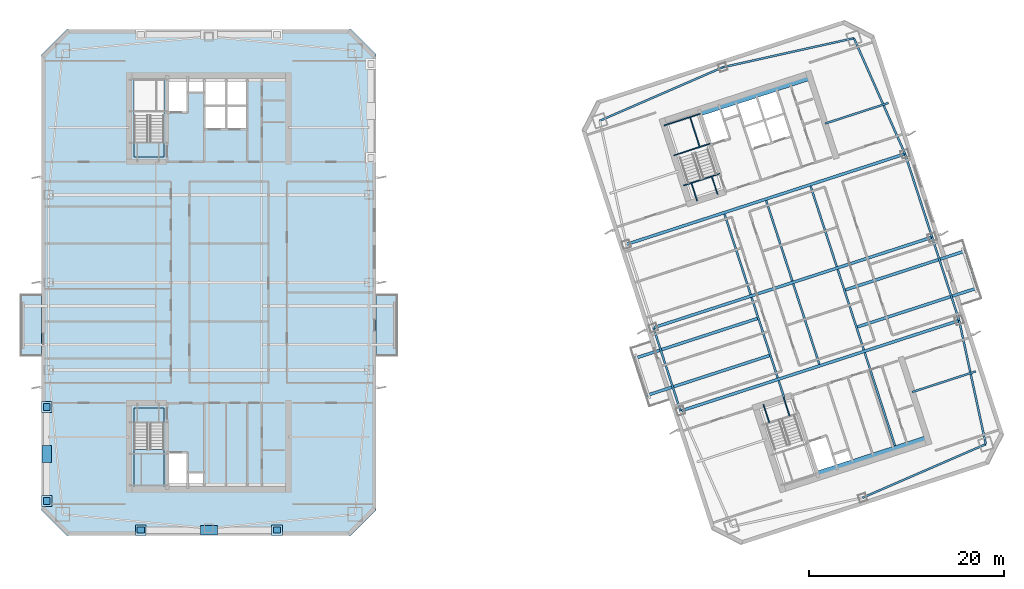
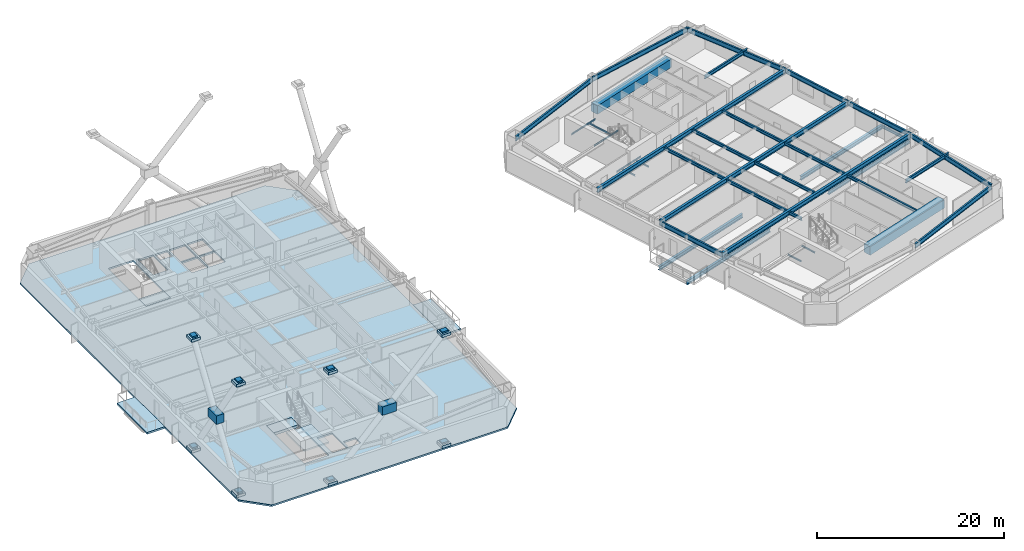
# One storey, part 4 of 18: 36 beams, 18 plates, 6 slabs, 1 element without a shape of its own.
"""IFC4 building model written with IfcOpenShell, lengths in metres."""

from ifc_helpers import new_model, si_unit, direction, frame, origin, origin_2d, place, context, subcontext, project, spatial, polyline, rectangle, i_section, outline, extrude, material, layer, layer_set, material_profile, profile_set, type_object, element, aggregate, save


model = new_model("IFC4")

# Units and contexts
model_context = context("Model", 3, precision=1e-05, world=origin(), true_north=direction((0.0, 1.0)))
body_context = subcontext(model_context, "Body", "Model", "MODEL_VIEW")
ifc_project = project(units=[si_unit("LENGTHUNIT", "METRE"), si_unit("AREAUNIT", "SQUARE_METRE"), si_unit("VOLUMEUNIT", "CUBIC_METRE"), si_unit("PLANEANGLEUNIT", "RADIAN"), si_unit("MASSUNIT", "GRAM", prefix="KILO")], contexts=[model_context])

# Site, building, storey
site_placement = place(None, origin())
site = spatial("IfcSite", under=ifc_project, at=site_placement, CompositionType="ELEMENT")
building_placement = place(site_placement, origin())
building = spatial("IfcBuilding", under=site, at=building_placement, Name="Qiaolan Cultural Towers", CompositionType="ELEMENT")
storey_placement = place(building_placement, frame((0.0, 0.0, 173.64990234375)))
storey = spatial("IfcBuildingStorey", under=building, at=storey_placement, Name="L46", CompositionType="ELEMENT", Elevation=173.64990234375)

# Beams
ifc_material_1 = material(Name="Steel Q355B", Category="steel")
ifc_material_profile_1 = material_profile(ifc_material_1, i_section(OverallWidth=0.300048828125, OverallDepth=0.488037109375, WebThickness=0.010986328125, FlangeThickness=0.01806640625, at=origin_2d()), Name="HM488x300x11x18")
ifc_profile_set_1 = profile_set([ifc_material_profile_1], Name="Steel Q355B")
beam_type_1 = type_object("IfcBeamType", Name="BM-HM488x300x11x18", PredefinedType="BEAM", material=ifc_profile_set_1)
for number, where, z_axis, x_axis, name in (
    (1, (87.697998046875, 26.522705078125, -0.52392578125), (-0.951053553769, -0.309026111943, 0.0), (0.309026111943, -0.951053553769, 0.0), "L46 T2 Tree Balcony Back-Spanned Bracket Beam"),
    (2, (86.4619140625, 30.326904296875, -0.52392578125), (-0.951053553769, -0.309026111943, 0.0), (0.309026111943, -0.951053553769, 0.0), "L46 T2 Tree Balcony Back-Spanned Bracket Beam"),
):
    element("IfcBeam", number, at=place(storey_placement, frame(where, z_axis=z_axis, x_axis=x_axis)), inside=storey, type_object=beam_type_1, Name=name, PredefinedType="BEAM", context=body_context, shape_type="SweptSolid", body=[
        extrude(i_section(OverallWidth=0.300048828125, OverallDepth=0.488037109375, WebThickness=0.010986328125, FlangeThickness=0.01806640625, at=origin_2d()), origin(), (0.0, 0.0, 1.0), 13.349853515625),
    ])
for number, where, z_axis, x_axis, name in (
    (3, (96.542724609375, 29.396484375, -0.52392578125), (0.951056200688, 0.309017965713, 0.0), (-0.309017965713, 0.951056200688, 0.0), "L46 T2 Tree Balcony Back-Spanned Bracket Beam"),
    (4, (95.306640625, 33.20068359375, -0.52392578125), (0.951056200688, 0.309017965713, 0.0), (-0.309017965713, 0.951056200688, 0.0), "L46 T2 Tree Balcony Back-Spanned Bracket Beam"),
):
    element("IfcBeam", number, at=place(storey_placement, frame(where, z_axis=z_axis, x_axis=x_axis)), inside=storey, type_object=beam_type_1, Name=name, PredefinedType="BEAM", context=body_context, shape_type="SweptSolid", body=[
        extrude(i_section(OverallWidth=0.300048828125, OverallDepth=0.488037109375, WebThickness=0.010986328125, FlangeThickness=0.01806640625, at=origin_2d()), origin(), (0.0, 0.0, 1.0), 13.050048828125),
    ])
ifc_material_2 = material(Name="Steel Q355B", Category="steel")
ifc_material_profile_2 = material_profile(ifc_material_2, i_section(OverallWidth=0.300048828125, OverallDepth=0.587890625, WebThickness=0.011962890625, FlangeThickness=0.02001953125, at=origin_2d()), Name="HM588x300x12x20")
ifc_profile_set_2 = profile_set([ifc_material_profile_2], Name="Steel Q355B")
beam_type_2 = type_object("IfcBeamType", Name="BM-HM588x300x12x20", PredefinedType="BEAM", material=ifc_profile_set_2)
beam_1_placement = place(storey_placement, frame((78.4677734375, 20.789794921875, 2.89599609375), z_axis=(0.951055226628, 0.309020963535, 0.0), x_axis=(-0.309020963535, 0.951055226628, 0.0)))
element("IfcBeam", 5, at=beam_1_placement, inside=storey, type_object=beam_type_2, Name="L46 T2 Primary Transverse Girder V1", PredefinedType="BEAM", context=body_context, shape_type="SweptSolid", body=[
    extrude(i_section(OverallWidth=0.300048828125, OverallDepth=0.587890625, WebThickness=0.011962890625, FlangeThickness=0.02001953125, at=origin_2d()), origin(), (0.0, 0.0, 1.0), 30.099853515625),
])
beam_2_placement = place(storey_placement, frame((75.6865234375, 29.349365234375, 2.89599609375), z_axis=(0.951058384903, 0.309011243331, 0.0), x_axis=(-0.309011243331, 0.951058384903, 0.0)))
element("IfcBeam", 6, at=beam_2_placement, inside=storey, type_object=beam_type_2, Name="L46 T2 Primary Transverse Girder V2", PredefinedType="BEAM", context=body_context, shape_type="SweptSolid", body=[
    extrude(i_section(OverallWidth=0.300048828125, OverallDepth=0.587890625, WebThickness=0.011962890625, FlangeThickness=0.02001953125, at=origin_2d()), origin(), (0.0, 0.0, 1.0), 30.10009765625),
])
beam_3_placement = place(storey_placement, frame((72.905517578125, 37.90869140625, 2.89599609375), z_axis=(0.951055226628, 0.309020963535, 0.0), x_axis=(-0.309020963535, 0.951055226628, 0.0)))
element("IfcBeam", 7, at=beam_3_placement, inside=storey, type_object=beam_type_2, Name="L46 T2 Primary Transverse Girder V3", PredefinedType="BEAM", context=body_context, shape_type="SweptSolid", body=[
    extrude(i_section(OverallWidth=0.300048828125, OverallDepth=0.587890625, WebThickness=0.011962890625, FlangeThickness=0.02001953125, at=origin_2d()), origin(), (0.0, 0.0, 1.0), 30.099853515625),
])
ifc_material_3 = material(Name="Steel Q355B", Category="steel")
ifc_material_profile_3 = material_profile(ifc_material_3, i_section(OverallWidth=0.175048828125, OverallDepth=0.35009765625, WebThickness=0.007080078125, FlangeThickness=0.010986328125, at=origin_2d()), Name="HN350x175x7x11")
ifc_profile_set_3 = profile_set([ifc_material_profile_3], Name="Steel Q355B")
beam_type_3 = type_object("IfcBeamType", Name="BM-JST-HN350x175x7x11", PredefinedType="JOIST", material=ifc_profile_set_3)
beam_4_placement = place(storey_placement, frame((108.9541015625, 33.42919921875, -0.52392578125), z_axis=(-0.309022586479, 0.951054699292, 0.0), x_axis=(-0.951054699292, -0.309022586479, 0.0)))
element("IfcBeam", 8, at=beam_4_placement, inside=storey, type_object=beam_type_3, Name="L46 T2 Tree Balcony Outer Edge Beam", PredefinedType="JOIST", context=body_context, shape_type="SweptSolid", body=[
    extrude(i_section(OverallWidth=0.175048828125, OverallDepth=0.35009765625, WebThickness=0.007080078125, FlangeThickness=0.010986328125, at=origin_2d()), origin(), (0.0, 0.0, 1.0), 4.0),
])
ifc_material_4 = material(Name="Steel Q355B", Category="steel")
ifc_material_profile_4 = material_profile(ifc_material_4, i_section(OverallWidth=0.199951171875, OverallDepth=0.39990234375, WebThickness=0.008056640625, FlangeThickness=0.012939453125, at=origin_2d()), Name="HN400x200x8x13")
ifc_profile_set_4 = profile_set([ifc_material_profile_4], Name="Steel Q355B")
beam_type_4 = type_object("IfcBeamType", Name="BM-JST-HN400x200x8x13", PredefinedType="JOIST", material=ifc_profile_set_4)
beam_5_placement = place(storey_placement, frame((89.119384765625, 22.147705078125, 2.989990234375), z_axis=(-0.308933885266, 0.951083516067, 0.0), x_axis=(-0.951083516067, -0.308933885266, 0.0)))
element("IfcBeam", 9, at=beam_5_placement, inside=storey, type_object=beam_type_4, Name="L46 T2 Secondary Floor Joist U1-1", PredefinedType="JOIST", context=body_context, shape_type="SweptSolid", body=[
    extrude(i_section(OverallWidth=0.199951171875, OverallDepth=0.39990234375, WebThickness=0.008056640625, FlangeThickness=0.012939453125, at=origin_2d()), origin(), (0.0, 0.0, 1.0), 1.85009765625),
])
for number, where, z_axis, x_axis, name in (
    (10, (88.455078125, 24.192626953125, 2.989990234375), (-0.309020714809, 0.951055307445, 0.0), (-0.951055307445, -0.309020714809, 0.0), "L46 T2 Secondary Floor Joist U1-2"),
    (11, (85.673828125, 32.752197265625, 2.989990234375), (-0.309020714809, 0.951055307445, 0.0), (-0.951055307445, -0.309020714809, 0.0), "L46 T2 Secondary Floor Joist U1-3"),
    (12, (92.73486328125, 25.583251953125, 2.989990234375), (-0.309020714809, 0.951055307445, 0.0), (-0.951055307445, -0.309020714809, 0.0), "L46 T2 Secondary Floor Joist U2-2"),
    (13, (89.95361328125, 34.142578125, 2.989990234375), (-0.309020714809, 0.951055307445, 0.0), (-0.951055307445, -0.309020714809, 0.0), "L46 T2 Secondary Floor Joist U2-3"),
):
    element("IfcBeam", number, at=place(storey_placement, frame(where, z_axis=z_axis, x_axis=x_axis)), inside=storey, type_object=beam_type_4, Name=name, PredefinedType="JOIST", context=body_context, shape_type="SweptSolid", body=[
        extrude(i_section(OverallWidth=0.199951171875, OverallDepth=0.39990234375, WebThickness=0.008056640625, FlangeThickness=0.012939453125, at=origin_2d()), origin(), (0.0, 0.0, 1.0), 8.699951171875),
    ])
beam_6_placement = place(storey_placement, frame((100.498291015625, 17.222900390625, 2.989990234375), z_axis=(-0.309025649293, 0.951053704098, 0.0), x_axis=(-0.951053704098, -0.309025649293, 0.0)))
element("IfcBeam", 14, at=beam_6_placement, inside=storey, type_object=beam_type_4, Name="L46 T2 Secondary Floor Joist U3-1", PredefinedType="JOIST", context=body_context, shape_type="SweptSolid", body=[
    extrude(i_section(OverallWidth=0.199951171875, OverallDepth=0.39990234375, WebThickness=0.008056640625, FlangeThickness=0.012939453125, at=origin_2d()), origin(), (0.0, 0.0, 1.0), 10.050048828125),
])
for number, where, z_axis, x_axis, name in (
    (15, (97.2998046875, 27.06640625, 2.989990234375), (-0.309020714809, 0.951055307445, 0.0), (-0.951055307445, -0.309020714809, 0.0), "L46 T2 Secondary Floor Joist U3-2"),
    (16, (94.518798828125, 35.6259765625, 2.989990234375), (-0.309020714809, 0.951055307445, 0.0), (-0.951055307445, -0.309020714809, 0.0), "L46 T2 Secondary Floor Joist U3-3"),
):
    element("IfcBeam", number, at=place(storey_placement, frame(where, z_axis=z_axis, x_axis=x_axis)), inside=storey, type_object=beam_type_4, Name=name, PredefinedType="JOIST", context=body_context, shape_type="SweptSolid", body=[
        extrude(i_section(OverallWidth=0.199951171875, OverallDepth=0.39990234375, WebThickness=0.008056640625, FlangeThickness=0.012939453125, at=origin_2d()), origin(), (0.0, 0.0, 1.0), 8.699951171875),
    ])
ifc_material_5 = material(Name="Steel Q355B", Category="steel")
ifc_material_profile_5 = material_profile(ifc_material_5, i_section(OverallWidth=0.199951171875, OverallDepth=0.449951171875, WebThickness=0.009033203125, FlangeThickness=0.013916015625, at=origin_2d()), Name="HN450x200x9x14")
ifc_profile_set_5 = profile_set([ifc_material_profile_5], Name="Steel Q355B")
beam_type_5 = type_object("IfcBeamType", Name="BM-LNT-HN450x200x9x14", PredefinedType="LINTEL", material=ifc_profile_set_5)
for number, where, z_axis, x_axis, name in (
    (17, (102.279296875, 22.74365234375, 2.965087890625), (0.951061565824, 0.30900145309, 0.0), (-0.30900145309, 0.951061565824, 0.0), "L46 T2 Core Flank Tie Lintel ES"),
    (18, (93.31787109375, 50.32421875, 2.965087890625), (0.951061565824, 0.30900145309, 0.0), (-0.30900145309, 0.951061565824, 0.0), "L46 T2 Core Flank Tie Lintel EN"),
):
    element("IfcBeam", number, at=place(storey_placement, frame(where, z_axis=z_axis, x_axis=x_axis)), inside=storey, type_object=beam_type_5, Name=name, PredefinedType="LINTEL", context=body_context, shape_type="SweptSolid", body=[
        extrude(i_section(OverallWidth=0.199951171875, OverallDepth=0.449951171875, WebThickness=0.009033203125, FlangeThickness=0.013916015625, at=origin_2d()), origin(), (0.0, 0.0, 1.0), 6.85009765625),
    ])
ifc_material_6 = material(Name="Concrete C50", Category="concrete")
ifc_material_profile_6 = material_profile(ifc_material_6, rectangle(XDim=0.89990234375, YDim=1.10009765625, at=origin_2d()), Name="RC900x1100")
ifc_profile_set_6 = profile_set([ifc_material_profile_6], Name="Concrete C50")
beam_type_6 = type_object("IfcBeamType", Name="BM-RC900x1100", PredefinedType="BEAM", material=ifc_profile_set_6)
for number, where, z_axis, x_axis, name in (
    (19, (92.572265625, 14.174560546875, 2.64013671875), (0.951056266386, 0.309017763514, 0.0), (-0.309017763514, 0.951056266386, 0.0), "L46 T2 Core Header Girder S"),
    (20, (80.427978515625, 51.551025390625, 2.64013671875), (0.951056266386, 0.309017763514, 0.0), (-0.309017763514, 0.951056266386, 0.0), "L46 T2 Core Header Girder N"),
):
    element("IfcBeam", number, at=place(storey_placement, frame(where, z_axis=z_axis, x_axis=x_axis)), inside=storey, type_object=beam_type_6, Name=name, PredefinedType="BEAM", context=body_context, shape_type="SweptSolid", body=[
        extrude(rectangle(XDim=0.89990234375, YDim=1.10009765625, at=origin_2d()), origin(), (0.0, 0.0, 1.0), 11.880126953125),
    ])
ifc_material_7 = material(Name="Steel Q355B", Category="steel")
ifc_material_profile_7 = material_profile(ifc_material_7, i_section(OverallWidth=0.199951171875, OverallDepth=0.60009765625, WebThickness=0.010986328125, FlangeThickness=0.01708984375, at=origin_2d()), Name="HN600x200x11x17")
ifc_profile_set_7 = profile_set([ifc_material_profile_7], Name="Steel Q355B")
beam_type_7 = type_object("IfcBeamType", Name="BM-SPD-HN600x200x11x17", PredefinedType="SPANDREL", material=ifc_profile_set_7)
beam_7_placement = place(storey_placement, frame((97.1845703125, 11.887939453125, 2.89013671875), z_axis=(0.917117043091, 0.398618024268, 0.0), x_axis=(-0.398618024268, 0.917117043091, 0.0)))
element("IfcBeam", 21, at=beam_7_placement, inside=storey, type_object=beam_type_7, Name="L46 T2 Perimeter Spandrel Beam 2", PredefinedType="SPANDREL", context=body_context, shape_type="SweptSolid", body=[
    extrude(i_section(OverallWidth=0.199951171875, OverallDepth=0.60009765625, WebThickness=0.010986328125, FlangeThickness=0.01708984375, at=origin_2d()), origin(), (0.0, 0.0, 1.0), 13.79345703125),
])
beam_8_placement = place(storey_placement, frame((109.834716796875, 17.38623046875, 2.89013671875), z_axis=(-0.210832241173, 0.977522258612, 0.0), x_axis=(-0.977522258612, -0.210832241173, 0.0)))
element("IfcBeam", 22, at=beam_8_placement, inside=storey, type_object=beam_type_7, Name="L46 T2 Perimeter Spandrel Beam 3", PredefinedType="SPANDREL", context=body_context, shape_type="SweptSolid", body=[
    extrude(i_section(OverallWidth=0.199951171875, OverallDepth=0.60009765625, WebThickness=0.010986328125, FlangeThickness=0.01708984375, at=origin_2d()), origin(), (0.0, 0.0, 1.0), 12.997314453125),
])
beam_9_placement = place(storey_placement, frame((107.094482421875, 30.09130859375, 2.89013671875), z_axis=(-0.309008170129, 0.951059383421, 0.0), x_axis=(-0.951059383421, -0.309008170129, 0.0)))
element("IfcBeam", 23, at=beam_9_placement, inside=storey, type_object=beam_type_7, Name="L46 T2 Perimeter Spandrel Beam 4", PredefinedType="SPANDREL", context=body_context, shape_type="SweptSolid", body=[
    extrude(i_section(OverallWidth=0.199951171875, OverallDepth=0.60009765625, WebThickness=0.010986328125, FlangeThickness=0.01708984375, at=origin_2d()), origin(), (0.0, 0.0, 1.0), 8.999755859375),
])
beam_10_placement = place(storey_placement, frame((104.3134765625, 38.650634765625, 2.89013671875), z_axis=(-0.309024734286, 0.951054001411, 0.0), x_axis=(-0.951054001411, -0.309024734286, 0.0)))
element("IfcBeam", 24, at=beam_10_placement, inside=storey, type_object=beam_type_7, Name="L46 T2 Perimeter Spandrel Beam 5", PredefinedType="SPANDREL", context=body_context, shape_type="SweptSolid", body=[
    extrude(i_section(OverallWidth=0.199951171875, OverallDepth=0.60009765625, WebThickness=0.010986328125, FlangeThickness=0.01708984375, at=origin_2d()), origin(), (0.0, 0.0, 1.0), 9.0),
])
beam_11_placement = place(storey_placement, frame((101.5322265625, 47.210205078125, 2.89013671875), z_axis=(-0.404011070002, 0.914754095545, 0.0), x_axis=(-0.914754095545, -0.404011070002, 0.0)))
element("IfcBeam", 25, at=beam_11_placement, inside=storey, type_object=beam_type_7, Name="L46 T2 Perimeter Spandrel Beam 6", PredefinedType="SPANDREL", context=body_context, shape_type="SweptSolid", body=[
    extrude(i_section(OverallWidth=0.199951171875, OverallDepth=0.60009765625, WebThickness=0.010986328125, FlangeThickness=0.01708984375, at=origin_2d()), origin(), (0.0, 0.0, 1.0), 12.9970703125),
])
beam_12_placement = place(storey_placement, frame((96.28125, 59.099365234375, 2.89013671875), z_axis=(-0.976265293399, -0.216578108094, 0.0), x_axis=(0.216578108094, -0.976265293399, 0.0)))
element("IfcBeam", 26, at=beam_12_placement, inside=storey, type_object=beam_type_7, Name="L46 T2 Perimeter Spandrel Beam 7", PredefinedType="SPANDREL", context=body_context, shape_type="SweptSolid", body=[
    extrude(i_section(OverallWidth=0.199951171875, OverallDepth=0.60009765625, WebThickness=0.010986328125, FlangeThickness=0.01708984375, at=origin_2d()), origin(), (0.0, 0.0, 1.0), 13.793212890625),
])
beam_13_placement = place(storey_placement, frame((82.8154296875, 56.112060546875, 2.89013671875), z_axis=(-0.917117043091, -0.398618024268, 0.0), x_axis=(0.398618024268, -0.917117043091, 0.0)))
element("IfcBeam", 27, at=beam_13_placement, inside=storey, type_object=beam_type_7, Name="L46 T2 Perimeter Spandrel Beam 8", PredefinedType="SPANDREL", context=body_context, shape_type="SweptSolid", body=[
    extrude(i_section(OverallWidth=0.199951171875, OverallDepth=0.60009765625, WebThickness=0.010986328125, FlangeThickness=0.01708984375, at=origin_2d()), origin(), (0.0, 0.0, 1.0), 13.79345703125),
])
beam_14_placement = place(storey_placement, frame((75.6865234375, 29.349365234375, 2.89013671875), z_axis=(0.309024734286, -0.951054001411, 0.0), x_axis=(0.951054001411, 0.309024734286, 0.0)))
element("IfcBeam", 28, at=beam_14_placement, inside=storey, type_object=beam_type_7, Name="L46 T2 Perimeter Spandrel Beam 11", PredefinedType="SPANDREL", context=body_context, shape_type="SweptSolid", body=[
    extrude(i_section(OverallWidth=0.199951171875, OverallDepth=0.60009765625, WebThickness=0.010986328125, FlangeThickness=0.01708984375, at=origin_2d()), origin(), (0.0, 0.0, 1.0), 9.0),
])
ifc_material_8 = material(Name="Steel Q355B", Category="steel")
ifc_material_profile_8 = material_profile(ifc_material_8, i_section(OverallWidth=0.10009765625, OverallDepth=0.199951171875, WebThickness=0.005615234375, FlangeThickness=0.008056640625, at=origin_2d()), Name="HN200x100x5.5x8")
ifc_profile_set_8 = profile_set([ifc_material_profile_8], Name="Steel Q355B")
beam_type_8 = type_object("IfcBeamType", Name="BM-STTRIM-200", PredefinedType="BEAM", material=ifc_profile_set_8)
for number, where, z_axis, x_axis, name in (
    (29, (86.9794921875, 21.452392578125, -0.4599609375), (0.309083226701, -0.951034993558, 0.0), (0.951034993558, 0.309083226701, 0.0), "L46 ST-E1 Floor Landing Stringer 1"),
    (30, (89.07177734375, 22.13232421875, -0.4599609375), (0.309083226701, -0.951034993558, 0.0), (0.951034993558, 0.309083226701, 0.0), "L46 ST-E1 Floor Landing Stringer 2"),
):
    element("IfcBeam", number, at=place(storey_placement, frame(where, z_axis=z_axis, x_axis=x_axis)), inside=storey, type_object=beam_type_8, Name=name, PredefinedType="BEAM", context=body_context, shape_type="SweptSolid", body=[
        extrude(i_section(OverallWidth=0.10009765625, OverallDepth=0.199951171875, WebThickness=0.005615234375, FlangeThickness=0.008056640625, at=origin_2d()), origin(), (0.0, 0.0, 1.0), 1.93994140625),
    ])
beam_15_placement = place(storey_placement, frame((78.773193359375, 43.958251953125, -0.4599609375), z_axis=(0.951072048947, 0.3089691857, 0.0), x_axis=(-0.3089691857, 0.951072048947, 0.0)))
element("IfcBeam", 31, at=beam_15_placement, inside=storey, type_object=beam_type_8, Name="L46 ST-E2 Floor Landing Header Beam", PredefinedType="BEAM", context=body_context, shape_type="SweptSolid", body=[
    extrude(i_section(OverallWidth=0.10009765625, OverallDepth=0.199951171875, WebThickness=0.005615234375, FlangeThickness=0.008056640625, at=origin_2d()), origin(), (0.0, 0.0, 1.0), 3.920166015625),
])
for number, where, z_axis, x_axis, name in (
    (32, (80.18115234375, 42.375732421875, -0.4599609375), (-0.308969394428, 0.951071981138, 0.0), (-0.951071981138, -0.308969394428, 0.0), "L46 ST-E2 Floor Landing Stringer 1"),
    (33, (82.2734375, 43.0556640625, -0.4599609375), (-0.308969394428, 0.951071981138, 0.0), (-0.951071981138, -0.308969394428, 0.0), "L46 ST-E2 Floor Landing Stringer 2"),
):
    element("IfcBeam", number, at=place(storey_placement, frame(where, z_axis=z_axis, x_axis=x_axis)), inside=storey, type_object=beam_type_8, Name=name, PredefinedType="BEAM", context=body_context, shape_type="SweptSolid", body=[
        extrude(i_section(OverallWidth=0.10009765625, OverallDepth=0.199951171875, WebThickness=0.005615234375, FlangeThickness=0.008056640625, at=origin_2d()), origin(), (0.0, 0.0, 1.0), 1.93994140625),
    ])
for number, where, z_axis, x_axis, name in (
    (34, (77.769287109375, 47.0478515625, 1.425048828125), (0.951053746643, 0.309025518358, 0.0), (-0.309025518358, 0.951053746643, 0.0), "L46 ST-E2 Stair Landing Support Beam 1-1"),
    (35, (76.770751953125, 50.12109375, 1.425048828125), (0.951072048947, 0.3089691857, 0.0), (-0.3089691857, 0.951072048947, 0.0), "L46 ST-E2 Stair Landing Support Beam 1-2"),
):
    element("IfcBeam", number, at=place(storey_placement, frame(where, z_axis=z_axis, x_axis=x_axis)), inside=storey, type_object=beam_type_8, Name=name, PredefinedType="BEAM", context=body_context, shape_type="SweptSolid", body=[
        extrude(i_section(OverallWidth=0.10009765625, OverallDepth=0.199951171875, WebThickness=0.005615234375, FlangeThickness=0.008056640625, at=origin_2d()), origin(), (0.0, 0.0, 1.0), 3.920166015625),
    ])
beam_16_placement = place(storey_placement, frame((80.44189453125, 47.916259765625, 1.425048828125), z_axis=(-0.309033108495, 0.951051280349, 0.0), x_axis=(-0.951051280349, -0.309033108495, 0.0)))
element("IfcBeam", 36, at=beam_16_placement, inside=storey, type_object=beam_type_8, Name="L46 ST-E2 Stair Landing Trimmer 1", PredefinedType="BEAM", context=body_context, shape_type="SweptSolid", body=[
    extrude(i_section(OverallWidth=0.10009765625, OverallDepth=0.199951171875, WebThickness=0.005615234375, FlangeThickness=0.008056640625, at=origin_2d()), origin(), (0.0, 0.0, 1.0), 3.231201171875),
])

# Plates
ifc_material_9 = material(Name="Steel Q355B", Category="steel")
ifc_layer_1 = layer(ifc_material_9, 0.035888671875)
ifc_layer_set_1 = layer_set([ifc_layer_1], Name="Steel Q355B")
plate_type_1 = type_object("IfcPlateType", Name="PL-CONN-36", PredefinedType="USERDEFINED", material=ifc_layer_set_1)
for number, where, z_axis, x_axis, name in (
    (37, (13.35009765625, 11.550048828125, -0.2197265625), (0.0, 0.0, 1.0), (0.0, 1.0, 0.0), "L46 Brace End Connection Gusset Plate GP-02-0324"),
    (38, (13.35009765625, 21.199951171875, 14.2802734375), (0.0, 0.0, 1.0), (0.0, 1.0, 0.0), "L46 Brace End Connection Gusset Plate GP-02-0325"),
    (39, (13.35009765625, 21.199951171875, -0.2197265625), (0.0, 0.0, 1.0), (0.0, 1.0, 0.0), "L46 Brace End Connection Gusset Plate GP-02-0326"),
    (40, (13.35009765625, 11.550048828125, 14.2802734375), (0.0, 0.0, 1.0), (0.0, 1.0, 0.0), "L46 Brace End Connection Gusset Plate GP-02-0327"),
    (41, (23.0, 8.550048828125, -0.2197265625), (0.0, 0.0, 1.0), (1.0, 0.0, 0.0), "L46 Brace End Connection Gusset Plate GP-02-0332"),
    (42, (37.0, 8.550048828125, 14.2802734375), (0.0, 0.0, 1.0), (1.0, 0.0, 0.0), "L46 Brace End Connection Gusset Plate GP-02-0333"),
    (43, (37.0, 8.550048828125, -0.2197265625), (0.0, 0.0, 1.0), (1.0, 0.0, 0.0), "L46 Brace End Connection Gusset Plate GP-02-0334"),
    (44, (23.0, 8.550048828125, 14.2802734375), (0.0, 0.0, 1.0), (1.0, 0.0, 0.0), "L46 Brace End Connection Gusset Plate GP-02-0335"),
):
    element("IfcPlate", number, at=place(storey_placement, frame(where, z_axis=z_axis, x_axis=x_axis)), inside=storey, type_object=plate_type_1, Name=name, ObjectType="GUSSET_PLATE", PredefinedType="USERDEFINED", context=body_context, shape_type="SweptSolid", body=[
        extrude(rectangle(XDim=0.739990234375, YDim=0.6201171875, at=origin_2d()), origin(), (0.0, 0.0, 1.0), 0.739990234375),
    ])
ifc_material_10 = material(Name="Steel Q355B", Category="steel")
ifc_layer_2 = layer(ifc_material_10, 0.030029296875)
ifc_layer_set_2 = layer_set([ifc_layer_2], Name="Steel Q355B")
plate_type_2 = type_object("IfcPlateType", Name="PL-ENDCAP-30", PredefinedType="USERDEFINED", material=ifc_layer_set_2)
for number, where, z_axis, x_axis, name in (
    (45, (13.35009765625, 11.550048828125, -0.02490234375), (0.0, 0.0, 1.0), (0.0, 1.0, 0.0), "Hollow Brace End Seal Cap Plate CP-01"),
    (46, (13.35009765625, 21.199951171875, -0.02490234375), (0.0, 0.0, 1.0), (0.0, 1.0, 0.0), "Hollow Brace End Seal Cap Plate CP-01"),
    (47, (13.35009765625, 11.550048828125, 14.47509765625), (0.0, 0.0, 1.0), (0.0, 1.0, 0.0), "Hollow Brace End Seal Cap Plate CP-01"),
    (48, (13.35009765625, 21.199951171875, 14.47509765625), (0.0, 0.0, 1.0), (0.0, 1.0, 0.0), "Hollow Brace End Seal Cap Plate CP-01"),
    (49, (23.0, 8.550048828125, -0.02490234375), (0.0, 0.0, 1.0), (1.0, 0.0, 0.0), "Hollow Brace End Seal Cap Plate CP-01"),
    (50, (37.0, 8.550048828125, -0.02490234375), (0.0, 0.0, 1.0), (1.0, 0.0, 0.0), "Hollow Brace End Seal Cap Plate CP-01"),
    (51, (23.0, 8.550048828125, 14.47509765625), (0.0, 0.0, 1.0), (1.0, 0.0, 0.0), "Hollow Brace End Seal Cap Plate CP-01"),
    (52, (37.0, 8.550048828125, 14.47509765625), (0.0, 0.0, 1.0), (1.0, 0.0, 0.0), "Hollow Brace End Seal Cap Plate CP-01"),
):
    element("IfcPlate", number, at=place(storey_placement, frame(where, z_axis=z_axis, x_axis=x_axis)), inside=storey, type_object=plate_type_2, Name=name, ObjectType="BASE_PLATE", PredefinedType="USERDEFINED", context=body_context, shape_type="SweptSolid", body=[
        extrude(rectangle(XDim=1.10009765625, YDim=1.10009765625, at=origin_2d()), origin(), (0.0, 0.0, 1.0), 0.35009765625),
    ])
ifc_material_11 = material(Name="Steel Q390GJB", Category="steel")
ifc_layer_3 = layer(ifc_material_11, 0.0439453125)
ifc_layer_set_3 = layer_set([ifc_layer_3], Name="Steel Q390GJB")
plate_type_3 = type_object("IfcPlateType", Name="PL-NODE-ND06", PredefinedType="USERDEFINED", material=ifc_layer_set_3)
plate_1_placement = place(storey_placement, frame((13.35009765625, 16.375, 6.85009765625), z_axis=(0.0, 0.0, 1.0), x_axis=(0.0, 1.0, 0.0)))
element("IfcPlate", 53, at=plate_1_placement, inside=storey, type_object=plate_type_3, Name="Perimeter Frame Gusset Node Assembly ND-06", ObjectType="GUSSET_PLATE", PredefinedType="USERDEFINED", context=body_context, shape_type="SweptSolid", body=[
    extrude(rectangle(XDim=1.760009765625, YDim=0.9599609375, at=origin_2d()), origin(), (0.0, 0.0, 1.0), 1.10009765625),
])
ifc_material_12 = material(Name="Steel Q390GJB", Category="steel")
ifc_layer_4 = layer(ifc_material_12, 0.0400390625)
ifc_layer_set_4 = layer_set([ifc_layer_4], Name="Steel Q390GJB")
plate_type_4 = type_object("IfcPlateType", Name="PL-NODE-ND08", PredefinedType="USERDEFINED", material=ifc_layer_set_4)
plate_2_placement = place(storey_placement, frame((30.0, 8.550048828125, 6.85009765625), z_axis=(0.0, 0.0, 1.0), x_axis=(1.0, 0.0, 0.0)))
element("IfcPlate", 54, at=plate_2_placement, inside=storey, type_object=plate_type_4, Name="Perimeter Frame Gusset Node Assembly ND-08", ObjectType="GUSSET_PLATE", PredefinedType="USERDEFINED", context=body_context, shape_type="SweptSolid", body=[
    extrude(rectangle(XDim=1.760009765625, YDim=0.9599609375, at=origin_2d()), origin(), (0.0, 0.0, 1.0), 1.10009765625),
])

# Slabs
ifc_material_13 = material(Name="Concrete C45", Category="concrete")
ifc_layer_5 = layer(ifc_material_13, 0.239990234375)
ifc_layer_set_5 = layer_set([ifc_layer_5], Name="Concrete C45")
slab_type_1 = type_object("IfcSlabType", Name="SL-BAL-240", PredefinedType="FLOOR", material=ifc_layer_set_5)
slab_1_placement = place(storey_placement, frame((0.0, 0.0, -0.239990234375)))
element("IfcSlab", 55, at=slab_1_placement, inside=storey, type_object=slab_type_1, Name="L46 T1 Planted Tree Balcony W", PredefinedType="FLOOR", context=body_context, shape_type="SweptSolid", body=[
    extrude(outline(polyline([(10.60009765625, 26.39990234375), (12.800048828125, 26.39990234375), (12.800048828125, 32.800048828125), (10.60009765625, 32.800048828125), (10.60009765625, 26.39990234375)])), origin(), (0.0, 0.0, 1.0), 0.239990234375),
])
slab_2_placement = place(storey_placement, frame((0.0, 0.0, -0.239990234375)))
element("IfcSlab", 56, at=slab_2_placement, inside=storey, type_object=slab_type_1, Name="L46 T1 Planted Tree Balcony E", PredefinedType="FLOOR", context=body_context, shape_type="SweptSolid", body=[
    extrude(outline(polyline([(47.199951171875, 26.39990234375), (49.39990234375, 26.39990234375), (49.39990234375, 32.800048828125), (47.199951171875, 32.800048828125), (47.199951171875, 26.39990234375)])), origin(), (0.0, 0.0, 1.0), 0.239990234375),
])

# Stair, slab
ifc_material_14 = material(Name="Concrete C45", Category="concrete")
stair_type = type_object("IfcStairType", Name="STR-CORE-1500", PredefinedType="HALF_TURN_STAIR", material=ifc_material_14)
stair_placement = place(storey_placement, origin())
stair = element("IfcStair", 57, at=stair_placement, inside=storey, type_object=stair_type, Name="L46 Smokeproof Exit Stair ST-W1", PredefinedType="HALF_TURN_STAIR")
ifc_material_15 = material(Name="Concrete C45", Category="concrete")
ifc_layer_6 = layer(ifc_material_15, 0.199951171875)
ifc_layer_set_6 = layer_set([ifc_layer_6], Name="Concrete C45")
slab_type_2 = type_object("IfcSlabType", Name="SL-STAIR-LAND", PredefinedType="LANDING", material=ifc_layer_set_6)
slab_3_placement = place(storey_placement, frame((0.0, 0.0, 1.525146484375)))
slab_3 = element("IfcSlab", 58, at=slab_3_placement, type_object=slab_type_2, Name="ST-W1 landing 1", PredefinedType="LANDING", context=body_context, shape_type="SweptSolid", body=[
    extrude(outline(polyline([(22.300048828125, 16.851318359375), (22.300048828125, 13.0), (25.3798828125, 13.0), (25.3798828125, 16.851318359375), (22.300048828125, 16.851318359375)])), origin(), (0.0, 0.0, 1.0), 0.199951171875),
])
aggregate(stair, [slab_3])

# Slabs
ifc_material_16 = material(Name="Concrete C40", Category="concrete")
ifc_layer_7 = layer(ifc_material_16, 0.360107421875)
ifc_layer_set_7 = layer_set([ifc_layer_7], Name="Concrete C40")
slab_type_3 = type_object("IfcSlabType", Name="SL-STFLR-360", PredefinedType="LANDING", material=ifc_layer_set_7)
slab_4_placement = place(storey_placement, frame((0.0, 0.0, -0.35986328125)))
element("IfcSlab", 59, at=slab_4_placement, inside=storey, type_object=slab_type_3, Name="L46 ST-W1 Stair Floor Landing Slab", PredefinedType="LANDING", context=body_context, shape_type="SweptSolid", body=[
    extrude(outline(polyline([(22.302001953125, 21.097900390625), (22.302001953125, 19.548583984375), (25.3779296875, 19.548583984375), (25.3779296875, 21.097900390625), (22.302001953125, 21.097900390625)])), origin(), (0.0, 0.0, 1.0), 0.35986328125),
])
slab_5_placement = place(storey_placement, frame((0.0, 0.0, -0.35986328125)))
element("IfcSlab", 60, at=slab_5_placement, inside=storey, type_object=slab_type_3, Name="L46 ST-W2 Stair Floor Landing Slab", PredefinedType="LANDING", context=body_context, shape_type="SweptSolid", body=[
    extrude(outline(polyline([(25.3779296875, 46.902099609375), (25.3779296875, 48.451416015625), (22.302001953125, 48.451416015625), (22.302001953125, 46.902099609375), (25.3779296875, 46.902099609375)])), origin(), (0.0, 0.0, 1.0), 0.35986328125),
])
ifc_material_17 = material(Name="Concrete C45", Category="concrete")
ifc_layer_8 = layer(ifc_material_17, 0.219970703125)
ifc_layer_set_8 = layer_set([ifc_layer_8], Name="Concrete C45")
slab_type_4 = type_object("IfcSlabType", Name="SL-TYP-220", PredefinedType="FLOOR", material=ifc_layer_set_8)
slab_6_placement = place(storey_placement, frame((0.0, 0.0, -0.219970703125)))
element("IfcSlab", 61, at=slab_6_placement, inside=storey, type_object=slab_type_4, Name="L46 West Tower Floor Slab", PredefinedType="FLOOR", context=body_context, shape_type="SweptSolid", body=[
    extrude(outline(polyline([(15.39990234375, 8.0), (44.60009765625, 8.0), (47.199951171875, 10.60009765625), (47.199951171875, 57.39990234375), (44.60009765625, 60.0), (15.39990234375, 60.0), (12.800048828125, 57.39990234375), (12.800048828125, 10.60009765625), (15.39990234375, 8.0)]), holes=[polyline([(22.300048828125, 21.10009765625), (22.300048828125, 13.0), (25.3798828125, 13.0), (25.3798828125, 21.10009765625), (22.300048828125, 21.10009765625)]), polyline([(25.3798828125, 46.89990234375), (25.3798828125, 55.0), (22.300048828125, 55.0), (22.300048828125, 46.89990234375), (25.3798828125, 46.89990234375)]), polyline([(25.89990234375, 13.199951171875), (27.75, 13.199951171875), (27.75, 16.449951171875), (25.89990234375, 16.449951171875), (25.89990234375, 13.199951171875)]), polyline([(27.93994140625, 13.25), (29.449951171875, 13.25), (29.449951171875, 14.419921875), (27.93994140625, 14.419921875), (27.93994140625, 13.25)]), polyline([(25.89990234375, 51.550048828125), (27.75, 51.550048828125), (27.75, 54.800048828125), (25.89990234375, 54.800048828125), (25.89990234375, 51.550048828125)]), polyline([(27.93994140625, 53.580078125), (29.449951171875, 53.580078125), (29.449951171875, 54.75), (27.93994140625, 54.75), (27.93994140625, 53.580078125)]), polyline([(29.679931640625, 49.820068359375), (31.679931640625, 49.820068359375), (31.679931640625, 52.080078125), (29.679931640625, 52.080078125), (29.679931640625, 49.820068359375)]), polyline([(31.8798828125, 49.820068359375), (33.820068359375, 49.820068359375), (33.820068359375, 52.080078125), (31.8798828125, 52.080078125), (31.8798828125, 49.820068359375)]), polyline([(29.679931640625, 52.27001953125), (31.659912109375, 52.27001953125), (31.659912109375, 54.75), (29.679931640625, 54.75), (29.679931640625, 52.27001953125)]), polyline([(31.8798828125, 52.27001953125), (33.820068359375, 52.27001953125), (33.820068359375, 54.75), (31.8798828125, 54.75), (31.8798828125, 52.27001953125)])]), origin(), (0.0, 0.0, 1.0), 0.219970703125),
])

save(model, "model.ifc")
